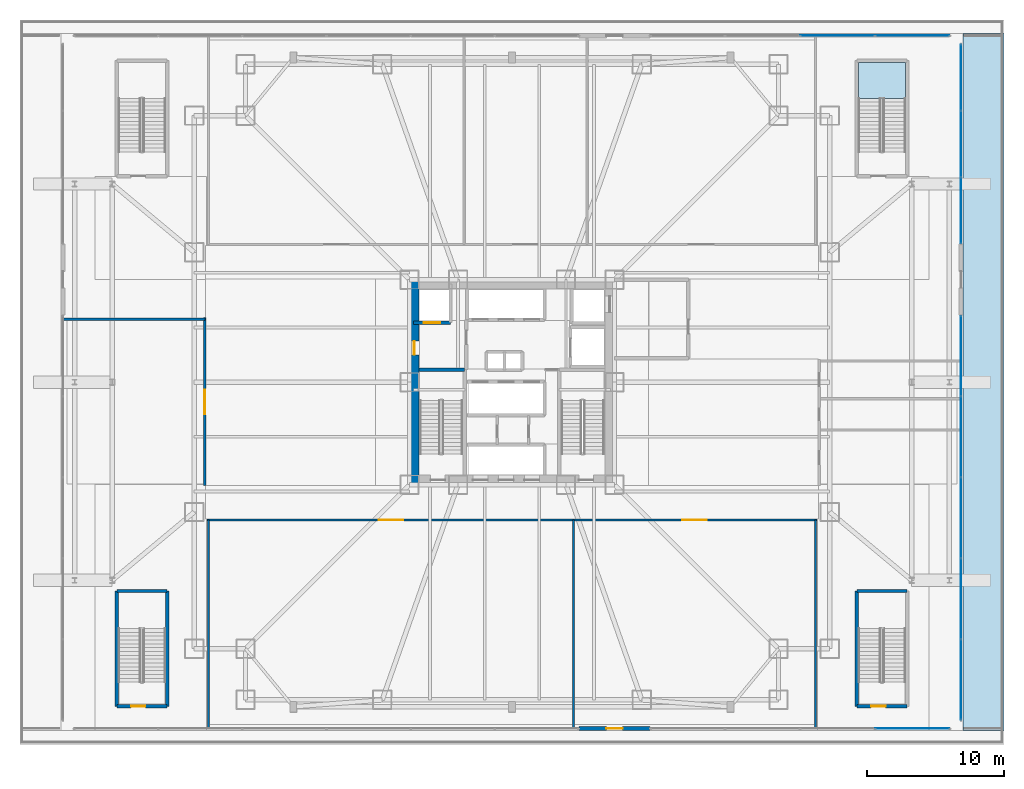
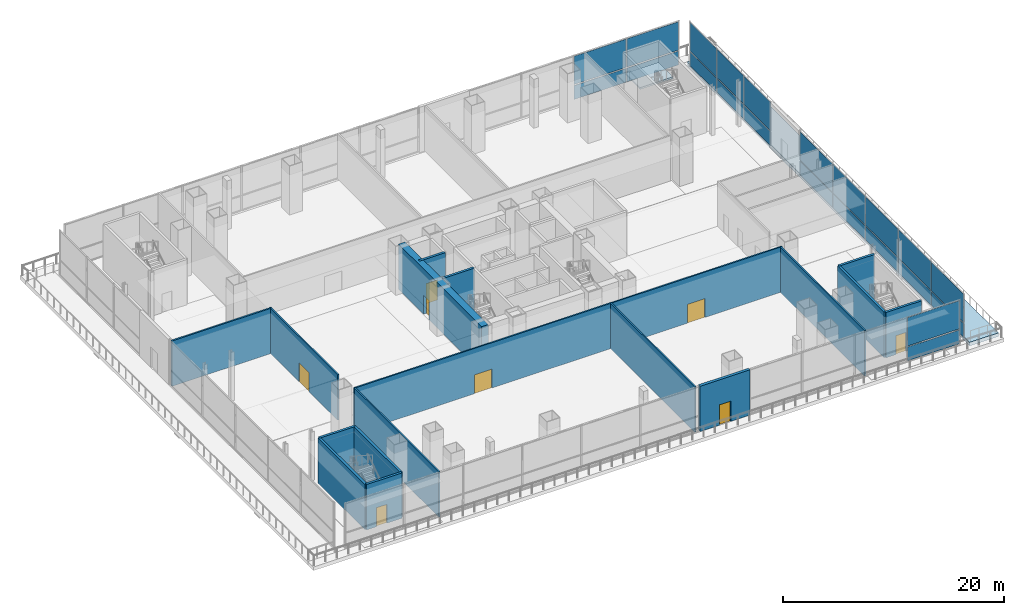
# One storey, part 21 of 36: 22 plates, 17 walls, 8 doors, 2 slabs, 8 openings, 5 elements without a shape of their own.
"""IFC4 building model written with IfcOpenShell, lengths in metres."""

from ifc_helpers import new_model, si_unit, direction, frame, frame_2d, origin, origin_2d, place, context, subcontext, project, spatial, polyline, rectangle, outline, extrude, material, layer, layer_set, type_object, element, fill, aggregate, save


model = new_model("IFC4")

# Units and contexts
model_context = context("Model", 3, precision=1e-05, world=origin(), true_north=direction((0.0, 1.0)))
body_context = subcontext(model_context, "Body", "Model", "MODEL_VIEW")
ifc_project = project(units=[si_unit("LENGTHUNIT", "METRE"), si_unit("AREAUNIT", "SQUARE_METRE"), si_unit("VOLUMEUNIT", "CUBIC_METRE"), si_unit("PLANEANGLEUNIT", "RADIAN"), si_unit("MASSUNIT", "GRAM", prefix="KILO")], contexts=[model_context])

# Site, building, storey
site_placement = place(None, origin())
site = spatial("IfcSite", under=ifc_project, at=site_placement, CompositionType="ELEMENT")
building_placement = place(site_placement, origin())
building = spatial("IfcBuilding", under=site, at=building_placement, Name="Trevonay Congress Spire", CompositionType="ELEMENT")
storey_placement = place(building_placement, frame((0.0, 0.0, 16.199951171875)))
storey = spatial("IfcBuildingStorey", under=building, at=storey_placement, Name="L03", CompositionType="ELEMENT", Elevation=16.199951171875)

# Curtain wall, plates
ifc_material_1 = material(Name="Pale Anodised Aluminium EN AW-6063-T6", Category="aluminium")
ifc_layer_1 = layer(ifc_material_1, 0.179931640625, Name="Pale Anodised Aluminium EN AW-6063-T6")
ifc_layer_set_1 = layer_set([ifc_layer_1], Name="Pale Anodised Aluminium EN AW-6063-T6")
curtain_wall_type = type_object("IfcCurtainWallType", Name="CW-SYS01-PODIUM-PALE-METAL", PredefinedType="NOTDEFINED", material=ifc_layer_set_1)
curtain_wall_1_placement = place(storey_placement, origin())
curtain_wall_1 = element("IfcCurtainWall", 1, at=curtain_wall_1_placement, inside=storey, type_object=curtain_wall_type, Name="L03 E1 podium curtain wall", PredefinedType="NOTDEFINED")
ifc_material_2 = material(Name="Insulated Low-E Vision Glass IGU", Category="glass")
ifc_layer_2 = layer(ifc_material_2, 0.035888671875, Name="Insulated Low-E Vision Glass IGU")
ifc_layer_set_2 = layer_set([ifc_layer_2], Name="Insulated Low-E Vision Glass IGU")
plate_type = type_object("IfcPlateType", Name="CW-PANEL-IGU36-SILVER", PredefinedType="CURTAIN_PANEL", material=ifc_layer_set_2)
plate_1_placement = place(storey_placement, frame((32.85009765625, -21.77001953125, 0.1201171875), z_axis=(0.0, 0.0, 1.0), x_axis=(0.0, 1.0, 0.0)))
plate_1 = element("IfcPlate", 2, at=plate_1_placement, type_object=plate_type, Name="CW01 panel 1.1", PredefinedType="CURTAIN_PANEL", context=body_context, shape_type="SweptSolid", body=[
    extrude(rectangle(XDim=5.840087890625, YDim=0.035888671875, at=origin_2d()), origin(), (0.0, 0.0, 1.0), 1.52001953125),
])
plate_2_placement = place(storey_placement, frame((32.85009765625, -21.77001953125, 1.760009765625), z_axis=(0.0, 0.0, 1.0), x_axis=(0.0, 1.0, 0.0)))
plate_2 = element("IfcPlate", 3, at=plate_2_placement, type_object=plate_type, Name="CW01 panel 1.2", PredefinedType="CURTAIN_PANEL", context=body_context, shape_type="SweptSolid", body=[
    extrude(rectangle(XDim=5.840087890625, YDim=0.035888671875, at=origin_2d()), origin(), (0.0, 0.0, 1.0), 3.1201171875),
])
plate_3_placement = place(storey_placement, frame((32.85009765625, -15.85498046875, 0.1201171875), z_axis=(0.0, 0.0, 1.0), x_axis=(0.0, 1.0, 0.0)))
plate_3 = element("IfcPlate", 4, at=plate_3_placement, type_object=plate_type, Name="CW01 panel 2.1", PredefinedType="CURTAIN_PANEL", context=body_context, shape_type="SweptSolid", body=[
    extrude(rectangle(XDim=5.8701171875, YDim=0.035888671875, at=origin_2d()), origin(), (0.0, 0.0, 1.0), 1.52001953125),
])
plate_4_placement = place(storey_placement, frame((32.85009765625, -15.85498046875, 1.760009765625), z_axis=(0.0, 0.0, 1.0), x_axis=(0.0, 1.0, 0.0)))
plate_4 = element("IfcPlate", 5, at=plate_4_placement, type_object=plate_type, Name="CW01 panel 2.2", PredefinedType="CURTAIN_PANEL", context=body_context, shape_type="SweptSolid", body=[
    extrude(rectangle(XDim=5.8701171875, YDim=0.035888671875, at=origin_2d()), origin(), (0.0, 0.0, 1.0), 3.1201171875),
])
plate_5_placement = place(storey_placement, frame((32.85009765625, -9.925048828125, 0.1201171875), z_axis=(0.0, 0.0, 1.0), x_axis=(0.0, 1.0, 0.0)))
plate_5 = element("IfcPlate", 6, at=plate_5_placement, type_object=plate_type, Name="CW01 panel 3.1", PredefinedType="CURTAIN_PANEL", context=body_context, shape_type="SweptSolid", body=[
    extrude(rectangle(XDim=5.8701171875, YDim=0.035888671875, at=origin_2d()), origin(), (0.0, 0.0, 1.0), 1.52001953125),
])
plate_6_placement = place(storey_placement, frame((32.85009765625, -9.925048828125, 1.760009765625), z_axis=(0.0, 0.0, 1.0), x_axis=(0.0, 1.0, 0.0)))
plate_6 = element("IfcPlate", 7, at=plate_6_placement, type_object=plate_type, Name="CW01 panel 3.2", PredefinedType="CURTAIN_PANEL", context=body_context, shape_type="SweptSolid", body=[
    extrude(rectangle(XDim=5.8701171875, YDim=0.035888671875, at=origin_2d()), origin(), (0.0, 0.0, 1.0), 3.1201171875),
])
plate_7_placement = place(storey_placement, frame((32.85009765625, -3.9951171875, 0.1201171875), z_axis=(0.0, 0.0, 1.0), x_axis=(0.0, 1.0, 0.0)))
plate_7 = element("IfcPlate", 8, at=plate_7_placement, type_object=plate_type, Name="CW01 panel 4.1", PredefinedType="CURTAIN_PANEL", context=body_context, shape_type="SweptSolid", body=[
    extrude(rectangle(XDim=5.8701171875, YDim=0.035888671875, at=origin_2d()), origin(), (0.0, 0.0, 1.0), 1.52001953125),
])
plate_8_placement = place(storey_placement, frame((32.85009765625, -3.9951171875, 1.760009765625), z_axis=(0.0, 0.0, 1.0), x_axis=(0.0, 1.0, 0.0)))
plate_8 = element("IfcPlate", 9, at=plate_8_placement, type_object=plate_type, Name="CW01 panel 4.2", PredefinedType="CURTAIN_PANEL", context=body_context, shape_type="SweptSolid", body=[
    extrude(rectangle(XDim=5.8701171875, YDim=0.035888671875, at=origin_2d()), origin(), (0.0, 0.0, 1.0), 3.1201171875),
])
plate_9_placement = place(storey_placement, frame((32.85009765625, 1.919921875, 0.1201171875), z_axis=(0.0, 0.0, 1.0), x_axis=(0.0, 1.0, 0.0)))
plate_9 = element("IfcPlate", 10, at=plate_9_placement, type_object=plate_type, Name="CW01 panel 5.1", PredefinedType="CURTAIN_PANEL", context=body_context, shape_type="SweptSolid", body=[
    extrude(rectangle(XDim=5.840087890625, YDim=0.035888671875, at=origin_2d()), origin(), (0.0, 0.0, 1.0), 1.52001953125),
])
plate_10_placement = place(storey_placement, frame((32.85009765625, 1.919921875, 1.760009765625), z_axis=(0.0, 0.0, 1.0), x_axis=(0.0, 1.0, 0.0)))
plate_10 = element("IfcPlate", 11, at=plate_10_placement, type_object=plate_type, Name="CW01 panel 5.2", PredefinedType="CURTAIN_PANEL", context=body_context, shape_type="SweptSolid", body=[
    extrude(rectangle(XDim=5.840087890625, YDim=0.035888671875, at=origin_2d()), origin(), (0.0, 0.0, 1.0), 3.1201171875),
])
aggregate(curtain_wall_1, [plate_1, plate_2, plate_3, plate_4, plate_5, plate_6, plate_7, plate_8, plate_9, plate_10])

curtain_wall_2_placement = place(storey_placement, origin())
curtain_wall_2 = element("IfcCurtainWall", 12, at=curtain_wall_2_placement, inside=storey, type_object=curtain_wall_type, Name="L03 E2 podium curtain wall", PredefinedType="NOTDEFINED")
plate_11_placement = place(storey_placement, frame((32.85009765625, 12.556640625, 0.1201171875), z_axis=(0.0, 0.0, 1.0), x_axis=(0.0, 1.0, 0.0)))
plate_11 = element("IfcPlate", 13, at=plate_11_placement, type_object=plate_type, Name="CW01 panel 1.1", PredefinedType="CURTAIN_PANEL", context=body_context, shape_type="SweptSolid", body=[
    extrude(rectangle(XDim=4.793212890625, YDim=0.035888671875, at=origin_2d()), origin(), (0.0, 0.0, 1.0), 1.52001953125),
])
plate_12_placement = place(storey_placement, frame((32.85009765625, 12.556640625, 1.760009765625), z_axis=(0.0, 0.0, 1.0), x_axis=(0.0, 1.0, 0.0)))
plate_12 = element("IfcPlate", 14, at=plate_12_placement, type_object=plate_type, Name="CW01 panel 1.2", PredefinedType="CURTAIN_PANEL", context=body_context, shape_type="SweptSolid", body=[
    extrude(rectangle(XDim=4.793212890625, YDim=0.035888671875, at=origin_2d()), origin(), (0.0, 0.0, 1.0), 3.1201171875),
])
plate_13_placement = place(storey_placement, frame((32.85009765625, 17.425048828125, 0.1201171875), z_axis=(0.0, 0.0, 1.0), x_axis=(0.0, 1.0, 0.0)))
plate_13 = element("IfcPlate", 15, at=plate_13_placement, type_object=plate_type, Name="CW01 panel 2.1", PredefinedType="CURTAIN_PANEL", context=body_context, shape_type="SweptSolid", body=[
    extrude(rectangle(XDim=4.8232421875, YDim=0.035888671875, at=origin_2d()), origin(), (0.0, 0.0, 1.0), 1.52001953125),
])
plate_14_placement = place(storey_placement, frame((32.85009765625, 17.425048828125, 1.760009765625), z_axis=(0.0, 0.0, 1.0), x_axis=(0.0, 1.0, 0.0)))
plate_14 = element("IfcPlate", 16, at=plate_14_placement, type_object=plate_type, Name="CW01 panel 2.2", PredefinedType="CURTAIN_PANEL", context=body_context, shape_type="SweptSolid", body=[
    extrude(rectangle(XDim=4.8232421875, YDim=0.035888671875, at=origin_2d()), origin(), (0.0, 0.0, 1.0), 3.1201171875),
])
plate_15_placement = place(storey_placement, frame((32.85009765625, 22.293212890625, 0.1201171875), z_axis=(0.0, 0.0, 1.0), x_axis=(0.0, 1.0, 0.0)))
plate_15 = element("IfcPlate", 17, at=plate_15_placement, type_object=plate_type, Name="CW01 panel 3.1", PredefinedType="CURTAIN_PANEL", context=body_context, shape_type="SweptSolid", body=[
    extrude(rectangle(XDim=4.793212890625, YDim=0.035888671875, at=origin_2d()), origin(), (0.0, 0.0, 1.0), 1.52001953125),
])
plate_16_placement = place(storey_placement, frame((32.85009765625, 22.293212890625, 1.760009765625), z_axis=(0.0, 0.0, 1.0), x_axis=(0.0, 1.0, 0.0)))
plate_16 = element("IfcPlate", 18, at=plate_16_placement, type_object=plate_type, Name="CW01 panel 3.2", PredefinedType="CURTAIN_PANEL", context=body_context, shape_type="SweptSolid", body=[
    extrude(rectangle(XDim=4.793212890625, YDim=0.035888671875, at=origin_2d()), origin(), (0.0, 0.0, 1.0), 3.1201171875),
])
aggregate(curtain_wall_2, [plate_11, plate_12, plate_13, plate_14, plate_15, plate_16])

curtain_wall_3_placement = place(storey_placement, origin())
curtain_wall_3 = element("IfcCurtainWall", 19, at=curtain_wall_3_placement, inside=storey, type_object=curtain_wall_type, Name="L03 S2 podium curtain wall", PredefinedType="NOTDEFINED")
plate_17_placement = place(storey_placement, frame((29.291259765625, -25.35009765625, 0.1201171875), z_axis=(0.0, 0.0, 1.0), x_axis=(1.0, 0.0, 0.0)))
plate_17 = element("IfcPlate", 20, at=plate_17_placement, type_object=plate_type, Name="CW01 panel 4.1", PredefinedType="CURTAIN_PANEL", context=body_context, shape_type="SweptSolid", body=[
    extrude(rectangle(XDim=5.3974609375, YDim=0.035888671875, at=origin_2d()), origin(), (0.0, 0.0, 1.0), 1.52001953125),
])
plate_18_placement = place(storey_placement, frame((29.291259765625, -25.35009765625, 1.760009765625), z_axis=(0.0, 0.0, 1.0), x_axis=(1.0, 0.0, 0.0)))
plate_18 = element("IfcPlate", 21, at=plate_18_placement, type_object=plate_type, Name="CW01 panel 4.2", PredefinedType="CURTAIN_PANEL", context=body_context, shape_type="SweptSolid", body=[
    extrude(rectangle(XDim=5.3974609375, YDim=0.035888671875, at=origin_2d()), origin(), (0.0, 0.0, 1.0), 3.1201171875),
])
aggregate(curtain_wall_3, [plate_17, plate_18])

curtain_wall_4_placement = place(storey_placement, origin())
curtain_wall_4 = element("IfcCurtainWall", 22, at=curtain_wall_4_placement, inside=storey, type_object=curtain_wall_type, Name="L03 N2 podium curtain wall", PredefinedType="NOTDEFINED")
plate_19_placement = place(storey_placement, frame((23.81884765625, 25.35009765625, 0.1201171875), z_axis=(0.0, 0.0, 1.0), x_axis=(1.0, 0.0, 0.0)))
plate_19 = element("IfcPlate", 23, at=plate_19_placement, type_object=plate_type, Name="CW01 panel 3.1", PredefinedType="CURTAIN_PANEL", context=body_context, shape_type="SweptSolid", body=[
    extrude(rectangle(XDim=5.427490234375, YDim=0.035888671875, at=origin_2d()), origin(), (0.0, 0.0, 1.0), 1.52001953125),
])
plate_20_placement = place(storey_placement, frame((23.81884765625, 25.35009765625, 1.760009765625), z_axis=(0.0, 0.0, 1.0), x_axis=(1.0, 0.0, 0.0)))
plate_20 = element("IfcPlate", 24, at=plate_20_placement, type_object=plate_type, Name="CW01 panel 3.2", PredefinedType="CURTAIN_PANEL", context=body_context, shape_type="SweptSolid", body=[
    extrude(rectangle(XDim=5.427490234375, YDim=0.035888671875, at=origin_2d()), origin(), (0.0, 0.0, 1.0), 3.1201171875),
])
plate_21_placement = place(storey_placement, frame((29.291259765625, 25.35009765625, 0.1201171875), z_axis=(0.0, 0.0, 1.0), x_axis=(1.0, 0.0, 0.0)))
plate_21 = element("IfcPlate", 25, at=plate_21_placement, type_object=plate_type, Name="CW01 panel 4.1", PredefinedType="CURTAIN_PANEL", context=body_context, shape_type="SweptSolid", body=[
    extrude(rectangle(XDim=5.3974609375, YDim=0.035888671875, at=origin_2d()), origin(), (0.0, 0.0, 1.0), 1.52001953125),
])
plate_22_placement = place(storey_placement, frame((29.291259765625, 25.35009765625, 1.760009765625), z_axis=(0.0, 0.0, 1.0), x_axis=(1.0, 0.0, 0.0)))
plate_22 = element("IfcPlate", 26, at=plate_22_placement, type_object=plate_type, Name="CW01 panel 4.2", PredefinedType="CURTAIN_PANEL", context=body_context, shape_type="SweptSolid", body=[
    extrude(rectangle(XDim=5.3974609375, YDim=0.035888671875, at=origin_2d()), origin(), (0.0, 0.0, 1.0), 3.1201171875),
])
aggregate(curtain_wall_4, [plate_19, plate_20, plate_21, plate_22])

# Stair, slab
ifc_material_3 = material(Name="Concrete C40/50", Category="concrete")
stair_type = type_object("IfcStairType", Name="STR-ST-6", PredefinedType="HALF_TURN_STAIR", material=ifc_material_3)
stair_placement = place(storey_placement, origin())
stair = element("IfcStair", 27, at=stair_placement, inside=storey, type_object=stair_type, Name="L03 Protected Exit Stair ST-6", PredefinedType="HALF_TURN_STAIR")
ifc_layer_3 = layer(ifc_material_3, 0.199951171875, Name="Concrete C40/50")
ifc_layer_set_3 = layer_set([ifc_layer_3], Name="Concrete C40/50")
slab_type_1 = type_object("IfcSlabType", Name="SLB-STAIR-LAND-200", PredefinedType="LANDING", material=ifc_layer_set_3)
slab_1_placement = place(storey_placement, frame((0.0, 0.0, 2.5)))
slab_1 = element("IfcSlab", 28, at=slab_1_placement, type_object=slab_type_1, Name="ST-6 landing 1", PredefinedType="LANDING", context=body_context, shape_type="SweptSolid", body=[
    extrude(outline(polyline([(28.800048828125, 20.77001953125), (28.800048828125, 23.39990234375), (25.35009765625, 23.39990234375), (25.35009765625, 20.77001953125), (28.800048828125, 20.77001953125)])), origin(), (0.0, 0.0, 1.0), 0.199951171875),
])
aggregate(stair, [slab_1])

# Slab
ifc_layer_4 = layer(ifc_material_3, 0.39990234375, Name="Concrete C40/50")
ifc_layer_set_4 = layer_set([ifc_layer_4], Name="Concrete C40/50")
slab_type_2 = type_object("IfcSlabType", Name="SLB-TERR-260", PredefinedType="ROOF", material=ifc_layer_set_4)
slab_2_placement = place(storey_placement, frame((0.0, 0.0, -0.39990234375)))
element("IfcSlab", 29, at=slab_2_placement, inside=storey, type_object=slab_type_2, Name="L03 East stepped podium roof terrace", PredefinedType="ROOF", context=body_context, shape_type="SweptSolid", body=[
    extrude(outline(polyline([(33.0, -25.5), (36.0, -25.5), (36.0, 25.5), (33.0, 25.5), (33.0, -25.5)])), origin(), (0.0, 0.0, 1.0), 0.39990234375),
])

# Wall, opening, door
ifc_material_4 = material(Name="Concrete C60/75", Category="concrete")
ifc_layer_5 = layer(ifc_material_4, 0.699951171875, Name="Concrete C60/75")
ifc_layer_set_5 = layer_set([ifc_layer_5], Name="Concrete C60/75")
wall_type_1 = type_object("IfcWallType", Name="WAL-CORE-700", PredefinedType="SHEAR", material=ifc_layer_set_5)
wall_1_placement = place(storey_placement, frame((-7.14990234375, -7.5, 0.0), z_axis=(0.0, 0.0, 1.0), x_axis=(0.0, 1.0, 0.0)))
wall_1 = element("IfcWall", 30, at=wall_1_placement, inside=storey, type_object=wall_type_1, Name="L03 West structural core shear wall", PredefinedType="SHEAR", context=body_context, shape_type="SweptSolid", body=[
    extrude(rectangle(XDim=15.0, YDim=0.699951171875, at=frame_2d((7.5, 0.0))), origin(), (0.0, 0.0, 1.0), 5.0),
])
opening_1_placement = place(wall_1_placement, frame((9.5, 0.0, 0.0)))
opening_1 = element("IfcOpeningElement", 31, at=opening_1_placement, cuts=wall_1, Name="Opening D06", PredefinedType="OPENING", context=body_context, shape_type="SweptSolid", body=[
    extrude(rectangle(XDim=1.0, YDim=2.080078125, at=frame_2d((0.5, 1.0400390625))), frame((0.0, 0.35986328125, 0.0), z_axis=(0.0, -1.0, 0.0), x_axis=(1.0, 0.0, 0.0)), (0.0, 0.0, 1.0), 0.719970703125),
])
ifc_material_5 = material(Name="Steel ASTM A572 Grade 50", Category="steel")
door_type_1 = type_object("IfcDoorType", Name="DOR-FIRE-100", OperationType="NOTDEFINED", PredefinedType="DOOR", material=ifc_material_5)
door_1_placement = place(opening_1_placement, origin())
door_1 = element("IfcDoor", 32, at=door_1_placement, inside=storey, type_object=door_type_1, Name="L03 Firefighting Lift Lobby West Corridor Door", OperationType="SINGLE_SWING_RIGHT", OverallHeight=2.080078125, OverallWidth=1.0, PredefinedType="DOOR", context=body_context, shape_type="SweptSolid", body=[
    extrude(rectangle(XDim=1.0, YDim=2.080078125, at=frame_2d((0.5, 1.0400390625))), frame((0.0, 0.02490234375, 0.0), z_axis=(0.0, -1.0, 0.0), x_axis=(1.0, 0.0, 0.0)), (0.0, 0.0, 1.0), 0.050048828125),
])
fill(opening_1, door_1)

# Wall, openings, doors
ifc_layer_6 = layer(ifc_material_3, 0.14990234375, Name="Concrete C40/50")
ifc_layer_set_6 = layer_set([ifc_layer_6], Name="Concrete C40/50")
wall_type_2 = type_object("IfcWallType", Name="WAL-CORR-150", PredefinedType="PARTITIONING", material=ifc_layer_set_6)
wall_2_placement = place(storey_placement, frame((-22.320068359375, -10.080078125, 0.0), z_axis=(0.0, 0.0, 1.0), x_axis=(1.0, 0.0, 0.0)))
wall_2 = element("IfcWall", 33, at=wall_2_placement, inside=storey, type_object=wall_type_2, Name="L03 interior wall WP-L03S-COR", PredefinedType="PARTITIONING", context=body_context, shape_type="SweptSolid", body=[
    extrude(rectangle(XDim=44.64013671875, YDim=0.14990234375, at=frame_2d((22.320068359375, 0.0))), origin(), (0.0, 0.0, 1.0), 5.0),
])
opening_2_placement = place(wall_2_placement, frame((12.570068359375, 0.0, 0.0)))
opening_2 = element("IfcOpeningElement", 34, at=opening_2_placement, cuts=wall_2, Name="Opening D09", PredefinedType="OPENING", context=body_context, shape_type="SweptSolid", body=[
    extrude(rectangle(XDim=1.800048828125, YDim=2.080078125, at=frame_2d((0.89990234375, 1.0400390625))), frame((0.0, 0.0849609375, 0.0), z_axis=(0.0, -1.0, 0.0), x_axis=(1.0, 0.0, 0.0)), (0.0, 0.0, 1.0), 0.169921875),
])
opening_3_placement = place(wall_2_placement, frame((34.77001953125, 0.0, 0.0)))
opening_3 = element("IfcOpeningElement", 35, at=opening_3_placement, cuts=wall_2, Name="Opening D09", PredefinedType="OPENING", context=body_context, shape_type="SweptSolid", body=[
    extrude(rectangle(XDim=1.800048828125, YDim=2.080078125, at=frame_2d((0.89990234375, 1.0400390625))), frame((0.0, 0.0849609375, 0.0), z_axis=(0.0, -1.0, 0.0), x_axis=(1.0, 0.0, 0.0)), (0.0, 0.0, 1.0), 0.169921875),
])
door_type_2 = type_object("IfcDoorType", Name="DOR-CONF-DBL", OperationType="DOUBLE_DOOR_SINGLE_SWING", PredefinedType="DOOR", material=ifc_material_1)
door_2_placement = place(opening_2_placement, origin())
door_2 = element("IfcDoor", 36, at=door_2_placement, inside=storey, type_object=door_type_2, Name="L03 Grand Ballroom Door", OperationType="DOUBLE_DOOR_SINGLE_SWING", OverallHeight=2.080078125, OverallWidth=1.800048828125, PredefinedType="DOOR", context=body_context, shape_type="SweptSolid", body=[
    extrude(rectangle(XDim=1.800048828125, YDim=2.080078125, at=frame_2d((0.89990234375, 1.0400390625))), frame((0.0, 0.02490234375, 0.0), z_axis=(0.0, -1.0, 0.0), x_axis=(1.0, 0.0, 0.0)), (0.0, 0.0, 1.0), 0.050048828125),
])
fill(opening_2, door_2)
door_3_placement = place(opening_3_placement, origin())
door_3 = element("IfcDoor", 37, at=door_3_placement, inside=storey, type_object=door_type_2, Name="L03 Ballroom Banquet Pre-Function Salon Door", OperationType="DOUBLE_DOOR_SINGLE_SWING", OverallHeight=2.080078125, OverallWidth=1.800048828125, PredefinedType="DOOR", context=body_context, shape_type="SweptSolid", body=[
    extrude(rectangle(XDim=1.800048828125, YDim=2.080078125, at=frame_2d((0.89990234375, 1.0400390625))), frame((0.0, 0.02490234375, 0.0), z_axis=(0.0, -1.0, 0.0), x_axis=(1.0, 0.0, 0.0)), (0.0, 0.0, 1.0), 0.050048828125),
])
fill(opening_3, door_3)

# Wall, opening, door
wall_3_placement = place(storey_placement, frame((-22.47998046875, -7.570068359375, 0.0), z_axis=(0.0, 0.0, 1.0), x_axis=(0.0, 1.0, 0.0)))
wall_3 = element("IfcWall", 38, at=wall_3_placement, inside=storey, type_object=wall_type_2, Name="L03 interior wall WP-L03W-COR", PredefinedType="PARTITIONING", context=body_context, shape_type="SweptSolid", body=[
    extrude(rectangle(XDim=12.2900390625, YDim=0.14990234375, at=frame_2d((6.14501953125, 0.0))), origin(), (0.0, 0.0, 1.0), 5.0),
])
opening_4_placement = place(wall_3_placement, frame((5.205078125, 0.0, 0.0)))
opening_4 = element("IfcOpeningElement", 39, at=opening_4_placement, cuts=wall_3, Name="Opening D09", PredefinedType="OPENING", context=body_context, shape_type="SweptSolid", body=[
    extrude(rectangle(XDim=1.800048828125, YDim=2.080078125, at=frame_2d((0.89990234375, 1.0400390625))), frame((0.0, 0.0849609375, 0.0), z_axis=(0.0, -1.0, 0.0), x_axis=(1.0, 0.0, 0.0)), (0.0, 0.0, 1.0), 0.169921875),
])
door_4_placement = place(opening_4_placement, origin())
door_4 = element("IfcDoor", 40, at=door_4_placement, inside=storey, type_object=door_type_2, Name="L03 VIP Bridal and Green Lounge Door", OperationType="DOUBLE_DOOR_SINGLE_SWING", OverallHeight=2.080078125, OverallWidth=1.800048828125, PredefinedType="DOOR", context=body_context, shape_type="SweptSolid", body=[
    extrude(rectangle(XDim=1.800048828125, YDim=2.080078125, at=frame_2d((0.89990234375, 1.0400390625))), frame((0.0, 0.02490234375, 0.0), z_axis=(0.0, -1.0, 0.0), x_axis=(1.0, 0.0, 0.0)), (0.0, 0.0, 1.0), 0.050048828125),
])
fill(opening_4, door_4)

ifc_material_6 = material(Name="Precast concrete C40/50", Category="concrete")
ifc_layer_7 = layer(ifc_material_6, 0.300048828125, Name="Precast concrete C40/50")
ifc_layer_set_7 = layer_set([ifc_layer_7], Name="Precast concrete C40/50")
wall_type_3 = type_object("IfcWallType", Name="WAL-EXT-PRECAST-300", PredefinedType="SOLIDWALL", material=ifc_layer_set_7)
wall_4_placement = place(storey_placement, frame((4.89990234375, -25.35009765625, 0.0), z_axis=(0.0, 0.0, 1.0), x_axis=(1.0, 0.0, 0.0)))
wall_4 = element("IfcWall", 41, at=wall_4_placement, inside=storey, type_object=wall_type_3, Name="L03 S terrace doorway backup wall", PredefinedType="SOLIDWALL", context=body_context, shape_type="SweptSolid", body=[
    extrude(rectangle(XDim=5.2001953125, YDim=0.300048828125, at=frame_2d((2.60009765625, 0.0))), origin(), (0.0, 0.0, 1.0), 5.0),
])
opening_5_placement = place(wall_4_placement, frame((2.0, 0.0, 0.0)))
opening_5 = element("IfcOpeningElement", 42, at=opening_5_placement, cuts=wall_4, Name="Opening D12", PredefinedType="OPENING", context=body_context, shape_type="SweptSolid", body=[
    extrude(rectangle(XDim=1.199951171875, YDim=2.25, at=frame_2d((0.60009765625, 1.125))), frame((0.0, 0.16015625, 0.0), z_axis=(0.0, -1.0, 0.0), x_axis=(1.0, 0.0, 0.0)), (0.0, 0.0, 1.0), 0.320068359375),
])
door_type_3 = type_object("IfcDoorType", Name="DOR-EXT-TERR-120", OperationType="NOTDEFINED", PredefinedType="DOOR", material=ifc_material_1)
door_5_placement = place(opening_5_placement, origin())
door_5 = element("IfcDoor", 43, at=door_5_placement, inside=storey, type_object=door_type_3, Name="L03 S stepped terrace access door", OperationType="SINGLE_SWING_LEFT", OverallHeight=2.25, OverallWidth=1.199951171875, PredefinedType="DOOR", context=body_context, shape_type="SweptSolid", body=[
    extrude(rectangle(XDim=1.199951171875, YDim=2.25, at=frame_2d((0.60009765625, 1.125))), frame((0.0, 0.02490234375, 0.0), z_axis=(0.0, -1.0, 0.0), x_axis=(1.0, 0.0, 0.0)), (0.0, 0.0, 1.0), 0.050048828125),
])
fill(opening_5, door_5)

# Walls
ifc_layer_8 = layer(ifc_material_3, 0.14990234375, Name="Concrete C40/50")
ifc_layer_set_8 = layer_set([ifc_layer_8], Name="Concrete C40/50")
wall_type_4 = type_object("IfcWallType", Name="WAL-PART-150", PredefinedType="PARTITIONING", material=ifc_layer_set_8)
for number, where, z_axis, x_axis, name in (
    (44, (-22.199951171875, -25.35009765625, 0.0), (0.0, 0.0, 1.0), (0.0, 1.0, 0.0), "L03 interior wall WP-L03S-DIV1"),
    (45, (4.5, -25.35009765625, 0.0), (0.0, 0.0, 1.0), (0.0, 1.0, 0.0), "L03 interior wall WP-L03S-DIV2"),
    (46, (22.199951171875, -25.35009765625, 0.0), (0.0, 0.0, 1.0), (0.0, 1.0, 0.0), "L03 interior wall WP-L03S-DIV3"),
):
    element("IfcWall", number, at=place(storey_placement, frame(where, z_axis=z_axis, x_axis=x_axis)), inside=storey, type_object=wall_type_4, Name=name, PredefinedType="PARTITIONING", context=body_context, shape_type="SweptSolid", body=[
        extrude(rectangle(XDim=15.27001953125, YDim=0.14990234375, at=frame_2d((7.635009765625, 0.0))), origin(), (0.0, 0.0, 1.0), 5.0),
    ])

# Wall, opening, door
ifc_layer_9 = layer(ifc_material_3, 0.25, Name="Concrete C40/50")
ifc_layer_set_9 = layer_set([ifc_layer_9], Name="Concrete C40/50")
wall_type_5 = type_object("IfcWallType", Name="WAL-SHAFT-250", PredefinedType="SHEAR", material=ifc_layer_set_9)
wall_5_placement = place(storey_placement, frame((-7.199951171875, 4.35009765625, 0.0), z_axis=(0.0, 0.0, 1.0), x_axis=(1.0, 0.0, 0.0)))
wall_5 = element("IfcWall", 47, at=wall_5_placement, inside=storey, type_object=wall_type_5, Name="L03 interior shaft wall WSH-L03-FF1-S", PredefinedType="SHEAR", context=body_context, shape_type="SweptSolid", body=[
    extrude(rectangle(XDim=2.699951171875, YDim=0.25, at=frame_2d((1.35009765625, 0.0))), origin(), (0.0, 0.0, 1.0), 5.0),
])
opening_6_placement = place(wall_5_placement, frame((0.75, 0.0, 0.0)))
opening_6 = element("IfcOpeningElement", 48, at=opening_6_placement, cuts=wall_5, Name="Opening LD04", PredefinedType="OPENING", context=body_context, shape_type="SweptSolid", body=[
    extrude(rectangle(XDim=1.199951171875, YDim=2.199951171875, at=frame_2d((0.60009765625, 1.10009765625))), frame((0.0, 0.135009765625, 0.0), z_axis=(0.0, -1.0, 0.0), x_axis=(1.0, 0.0, 0.0)), (0.0, 0.0, 1.0), 0.27001953125),
])
door_type_4 = type_object("IfcDoorType", Name="DOR-LIFT-LD04", OperationType="DOUBLE_DOOR_SLIDING", PredefinedType="DOOR", material=ifc_material_5)
door_6_placement = place(opening_6_placement, origin())
door_6 = element("IfcDoor", 49, at=door_6_placement, inside=storey, type_object=door_type_4, Name="L03 Firefighting lift FFL-01 landing door", OperationType="DOUBLE_DOOR_SLIDING", OverallHeight=2.199951171875, OverallWidth=1.199951171875, PredefinedType="DOOR", context=body_context, shape_type="SweptSolid", body=[
    extrude(rectangle(XDim=1.199951171875, YDim=2.199951171875, at=frame_2d((0.60009765625, 1.10009765625))), frame((0.0, 0.02490234375, 0.0), z_axis=(0.0, -1.0, 0.0), x_axis=(1.0, 0.0, 0.0)), (0.0, 0.0, 1.0), 0.050048828125),
])
fill(opening_6, door_6)

# Wall
ifc_layer_10 = layer(ifc_material_3, 0.25, Name="Concrete C40/50")
ifc_layer_set_10 = layer_set([ifc_layer_10], Name="Concrete C40/50")
wall_type_6 = type_object("IfcWallType", Name="WAL-SHAFT-LB-250", PredefinedType="SHEAR", material=ifc_layer_set_10)
wall_6_placement = place(storey_placement, frame((-6.800048828125, 0.919921875, 0.0), z_axis=(0.0, 0.0, 1.0), x_axis=(1.0, 0.0, 0.0)))
element("IfcWall", 50, at=wall_6_placement, inside=storey, type_object=wall_type_6, Name="L03 interior shaft wall WSH-L03-ST1-N", PredefinedType="SHEAR", context=body_context, shape_type="SweptSolid", body=[
    extrude(rectangle(XDim=3.330078125, YDim=0.25, at=frame_2d((1.6650390625, 0.0))), origin(), (0.0, 0.0, 1.0), 5.0),
])

# Wall, opening, door
wall_7_placement = place(storey_placement, frame((-28.919921875, -23.719970703125, 0.0), z_axis=(0.0, 0.0, 1.0), x_axis=(1.0, 0.0, 0.0)))
wall_7 = element("IfcWall", 51, at=wall_7_placement, inside=storey, type_object=wall_type_6, Name="L03 interior shaft wall WSH-L03-ST-3-S", PredefinedType="SHEAR", context=body_context, shape_type="SweptSolid", body=[
    extrude(rectangle(XDim=3.68994140625, YDim=0.25, at=frame_2d((1.844970703125, 0.0))), origin(), (0.0, 0.0, 1.0), 5.0),
])
opening_7_placement = place(wall_7_placement, frame((1.050048828125, 0.0, 0.0)))
opening_7 = element("IfcOpeningElement", 52, at=opening_7_placement, cuts=wall_7, Name="Opening D05", PredefinedType="OPENING", context=body_context, shape_type="SweptSolid", body=[
    extrude(rectangle(XDim=1.050048828125, YDim=2.080078125, at=frame_2d((0.52490234375, 1.0400390625))), frame((0.0, 0.135009765625, 0.0), z_axis=(0.0, -1.0, 0.0), x_axis=(1.0, 0.0, 0.0)), (0.0, 0.0, 1.0), 0.27001953125),
])
door_type_5 = type_object("IfcDoorType", Name="DOR-STAIR-110", OperationType="NOTDEFINED", PredefinedType="DOOR", material=ifc_material_5)
door_7_placement = place(opening_7_placement, origin())
door_7 = element("IfcDoor", 53, at=door_7_placement, inside=storey, type_object=door_type_5, Name="L03 Escape Stair ST-3 Door", OperationType="SINGLE_SWING_LEFT", OverallHeight=2.080078125, OverallWidth=1.050048828125, PredefinedType="DOOR", context=body_context, shape_type="SweptSolid", body=[
    extrude(rectangle(XDim=1.050048828125, YDim=2.080078125, at=frame_2d((0.52490234375, 1.0400390625))), frame((0.0, 0.02490234375, 0.0), z_axis=(0.0, -1.0, 0.0), x_axis=(1.0, 0.0, 0.0)), (0.0, 0.0, 1.0), 0.050048828125),
])
fill(opening_7, door_7)

# Walls
wall_8_placement = place(storey_placement, frame((-28.919921875, -15.280029296875, 0.0), z_axis=(0.0, 0.0, 1.0), x_axis=(1.0, 0.0, 0.0)))
element("IfcWall", 54, at=wall_8_placement, inside=storey, type_object=wall_type_6, Name="L03 interior shaft wall WSH-L03-ST-3-N", PredefinedType="SHEAR", context=body_context, shape_type="SweptSolid", body=[
    extrude(rectangle(XDim=3.68994140625, YDim=0.25, at=frame_2d((1.844970703125, 0.0))), origin(), (0.0, 0.0, 1.0), 5.0),
])
for number, where, z_axis, x_axis, name in (
    (55, (-28.919921875, -23.719970703125, 0.0), (0.0, 0.0, 1.0), (0.0, 1.0, 0.0), "L03 interior shaft wall WSH-L03-ST-3-W"),
    (56, (-25.22998046875, -23.719970703125, 0.0), (0.0, 0.0, 1.0), (0.0, 1.0, 0.0), "L03 interior shaft wall WSH-L03-ST-3-E"),
):
    element("IfcWall", number, at=place(storey_placement, frame(where, z_axis=z_axis, x_axis=x_axis)), inside=storey, type_object=wall_type_6, Name=name, PredefinedType="SHEAR", context=body_context, shape_type="SweptSolid", body=[
        extrude(rectangle(XDim=8.43994140625, YDim=0.25, at=frame_2d((4.219970703125, 0.0))), origin(), (0.0, 0.0, 1.0), 5.0),
    ])

# Wall, opening, door
wall_9_placement = place(storey_placement, frame((25.22998046875, -23.719970703125, 0.0), z_axis=(0.0, 0.0, 1.0), x_axis=(1.0, 0.0, 0.0)))
wall_9 = element("IfcWall", 57, at=wall_9_placement, inside=storey, type_object=wall_type_6, Name="L03 interior shaft wall WSH-L03-ST-4-S", PredefinedType="SHEAR", context=body_context, shape_type="SweptSolid", body=[
    extrude(rectangle(XDim=3.68994140625, YDim=0.25, at=frame_2d((1.844970703125, 0.0))), origin(), (0.0, 0.0, 1.0), 5.0),
])
opening_8_placement = place(wall_9_placement, frame((1.050048828125, 0.0, 0.0)))
opening_8 = element("IfcOpeningElement", 58, at=opening_8_placement, cuts=wall_9, Name="Opening D05", PredefinedType="OPENING", context=body_context, shape_type="SweptSolid", body=[
    extrude(rectangle(XDim=1.050048828125, YDim=2.080078125, at=frame_2d((0.52490234375, 1.0400390625))), frame((0.0, 0.135009765625, 0.0), z_axis=(0.0, -1.0, 0.0), x_axis=(1.0, 0.0, 0.0)), (0.0, 0.0, 1.0), 0.27001953125),
])
door_8_placement = place(opening_8_placement, origin())
door_8 = element("IfcDoor", 59, at=door_8_placement, inside=storey, type_object=door_type_5, Name="L03 Escape Stair ST-4 Door", OperationType="SINGLE_SWING_RIGHT", OverallHeight=2.080078125, OverallWidth=1.050048828125, PredefinedType="DOOR", context=body_context, shape_type="SweptSolid", body=[
    extrude(rectangle(XDim=1.050048828125, YDim=2.080078125, at=frame_2d((0.52490234375, 1.0400390625))), frame((0.0, 0.02490234375, 0.0), z_axis=(0.0, -1.0, 0.0), x_axis=(1.0, 0.0, 0.0)), (0.0, 0.0, 1.0), 0.050048828125),
])
fill(opening_8, door_8)

# Walls
wall_10_placement = place(storey_placement, frame((25.22998046875, -15.280029296875, 0.0), z_axis=(0.0, 0.0, 1.0), x_axis=(1.0, 0.0, 0.0)))
element("IfcWall", 60, at=wall_10_placement, inside=storey, type_object=wall_type_6, Name="L03 interior shaft wall WSH-L03-ST-4-N", PredefinedType="SHEAR", context=body_context, shape_type="SweptSolid", body=[
    extrude(rectangle(XDim=3.68994140625, YDim=0.25, at=frame_2d((1.844970703125, 0.0))), origin(), (0.0, 0.0, 1.0), 5.0),
])
wall_11_placement = place(storey_placement, frame((25.22998046875, -23.719970703125, 0.0), z_axis=(0.0, 0.0, 1.0), x_axis=(0.0, 1.0, 0.0)))
element("IfcWall", 61, at=wall_11_placement, inside=storey, type_object=wall_type_6, Name="L03 interior shaft wall WSH-L03-ST-4-W", PredefinedType="SHEAR", context=body_context, shape_type="SweptSolid", body=[
    extrude(rectangle(XDim=8.43994140625, YDim=0.25, at=frame_2d((4.219970703125, 0.0))), origin(), (0.0, 0.0, 1.0), 5.0),
])
ifc_layer_11 = layer(ifc_material_3, 0.1650390625, Name="Concrete C40/50")
ifc_layer_set_11 = layer_set([ifc_layer_11], Name="Concrete C40/50")
wall_type_7 = type_object("IfcWallType", Name="WAL-WET-165", PredefinedType="PLUMBINGWALL", material=ifc_layer_set_11)
wall_12_placement = place(storey_placement, frame((-32.85009765625, 4.60009765625, 0.0), z_axis=(0.0, 0.0, 1.0), x_axis=(1.0, 0.0, 0.0)))
element("IfcWall", 62, at=wall_12_placement, inside=storey, type_object=wall_type_7, Name="L03 interior wall WP-L03W-DIV1", PredefinedType="PLUMBINGWALL", context=body_context, shape_type="SweptSolid", body=[
    extrude(rectangle(XDim=10.3701171875, YDim=0.1650390625, at=frame_2d((5.18505859375, 0.0))), origin(), (0.0, 0.0, 1.0), 5.0),
])

save(model, "model.ifc")
